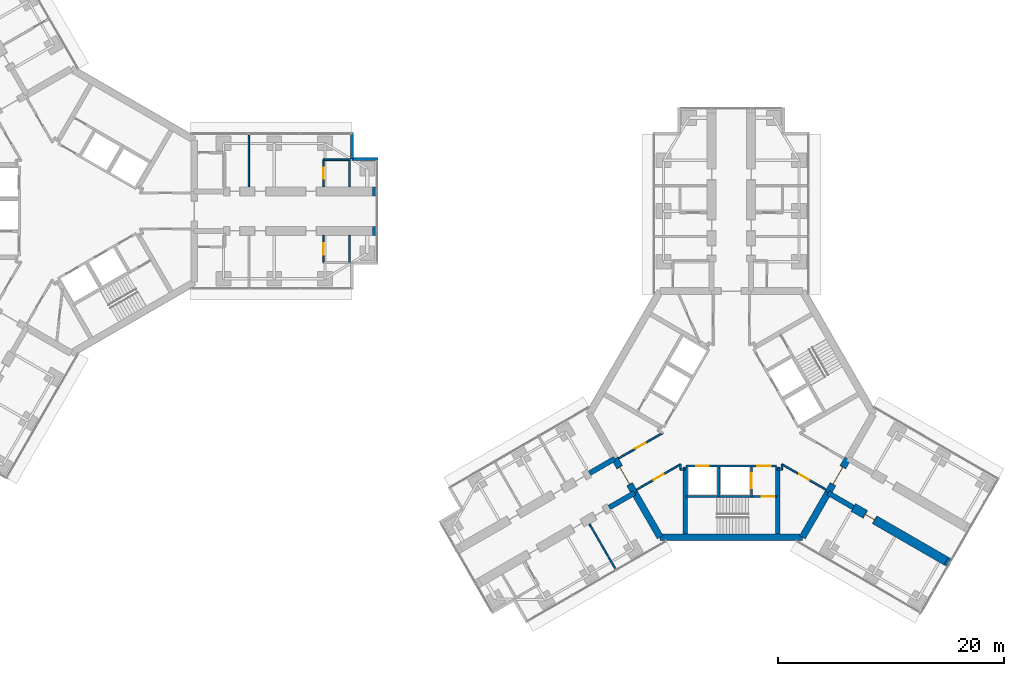
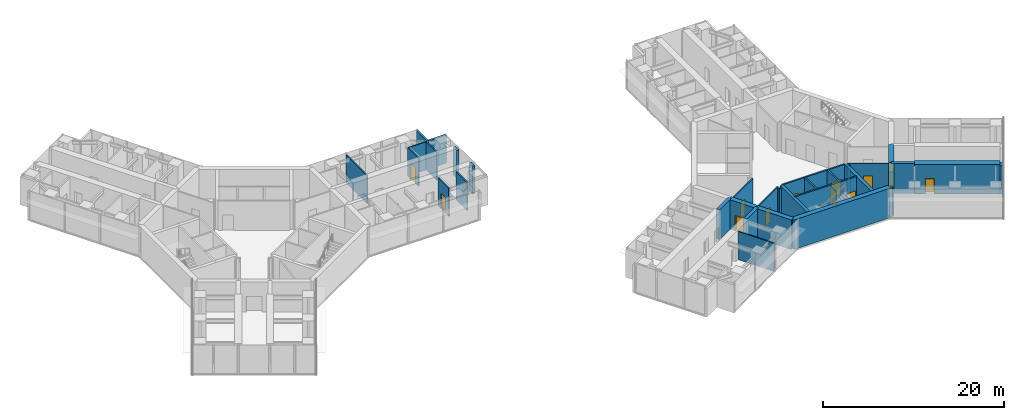
# One storey, part 18 of 22: 34 walls, 12 doors, 12 openings.
"""IFC4 building model written with IfcOpenShell, lengths in metres."""

from ifc_helpers import new_model, si_unit, direction, frame, frame_2d, origin, place, context, subcontext, project, spatial, rectangle, extrude, material, layer, layer_set, type_object, element, fill, save


model = new_model("IFC4")

# Units and contexts
model_context = context("Model", 3, precision=1e-05, world=origin(), true_north=direction((0.0, 1.0)))
body_context = subcontext(model_context, "Body", "Model", "MODEL_VIEW")
ifc_project = project(units=[si_unit("LENGTHUNIT", "METRE"), si_unit("AREAUNIT", "SQUARE_METRE"), si_unit("VOLUMEUNIT", "CUBIC_METRE"), si_unit("PLANEANGLEUNIT", "RADIAN"), si_unit("MASSUNIT", "GRAM", prefix="KILO")], contexts=[model_context])

# Site, building, storey
site_placement = place(None, origin())
site = spatial("IfcSite", under=ifc_project, at=site_placement, CompositionType="ELEMENT")
building_placement = place(site_placement, origin())
building = spatial("IfcBuilding", under=site, at=building_placement, Name="Upepo Twin Towers", CompositionType="ELEMENT")
storey_placement = place(building_placement, frame((0.0, 0.0, 129.5)))
storey = spatial("IfcBuildingStorey", under=building, at=storey_placement, Name="L31", CompositionType="ELEMENT", Elevation=129.5)

# Walls
ifc_material_1 = material(Name="Dense concrete blockwork", Category="masonry")
ifc_layer_1 = layer(ifc_material_1, 0.800048828125)
ifc_layer_set_1 = layer_set([ifc_layer_1], Name="Buttress closer 800, blockwork with fire-stopping to the curtain wall")
wall_type_1 = type_object("IfcWallType", Name="Buttress closer 800, blockwork with fire-stopping to the curtain wall", PredefinedType="PARTITIONING", material=ifc_layer_set_1)
for number, where, z_axis, x_axis, name in (
    (1, (26.699951171875, 1.75, 0.0), (0.0, 0.0, 1.0), (1.0, 0.0, 0.0), "T1 L31 wing A buttress closer L"),
    (2, (26.699951171875, -1.75, 0.0), (0.0, 0.0, 1.0), (1.0, 0.0, 0.0), "T1 L31 wing A buttress closer R"),
):
    element("IfcWall", number, at=place(storey_placement, frame(where, z_axis=z_axis, x_axis=x_axis)), inside=storey, type_object=wall_type_1, Name=name, PredefinedType="PARTITIONING", context=body_context, shape_type="SweptSolid", body=[
        extrude(rectangle(XDim=0.300048828125, YDim=0.800048828125, at=frame_2d((0.14990234375, 0.0))), origin(), (0.0, 0.0, 1.0), 3.800048828125),
    ])
wall_1_placement = place(storey_placement, frame((77.543701171875, -31.015625, 0.0), z_axis=(0.0, 0.0, 1.0), x_axis=(0.865827443207, -0.500342721131, 0.0)))
element("IfcWall", 3, at=wall_1_placement, inside=storey, type_object=wall_type_1, Name="T2 L31 wing C buttress closer R", PredefinedType="PARTITIONING", context=body_context, shape_type="SweptSolid", body=[
    extrude(rectangle(XDim=0.249755859375, YDim=0.800048828125, at=frame_2d((0.125, 0.0))), origin(), (0.0, 0.0, 1.0), 3.800048828125),
])
ifc_material_2 = material(Name="Concrete C60/75", Category="concrete")
ifc_layer_2 = layer(ifc_material_2, 0.449951171875)
ifc_layer_set_2 = layer_set([ifc_layer_2], Name="Concrete C60/75")
wall_type_2 = type_object("IfcWallType", Name="Buttress wall 450 RC", PredefinedType="SHEAR", material=ifc_layer_set_2)
for number, where, z_axis, x_axis, name in (
    (4, (49.92822265625, -24.9697265625, 0.0), (0.0, 0.0, 1.0), (-0.866031863473, -0.499988811324, 0.0), "T2 wing B buttress wall L"),
    (5, (48.17822265625, -21.938720703125, 0.0), (0.0, 0.0, 1.0), (-0.866072649678, -0.499918158782, 0.0), "T2 wing B buttress wall R"),
    (6, (67.07177734375, -24.9697265625, 0.0), (0.0, 0.0, 1.0), (0.866031863473, -0.499988811324, 0.0), "T2 wing C buttress wall R"),
):
    element("IfcWall", number, at=place(storey_placement, frame(where, z_axis=z_axis, x_axis=x_axis)), inside=storey, type_object=wall_type_2, Name=name, PredefinedType="SHEAR", context=body_context, shape_type="SweptSolid", body=[
        extrude(rectangle(XDim=2.591796875, YDim=0.449951171875, at=frame_2d((1.2958984375, 0.0))), origin(), (0.0, 0.0, 1.0), 4.0),
    ])

# Wall, opening, door
ifc_material_3 = material(Name="Concrete C60/75", Category="concrete")
ifc_layer_3 = layer(ifc_material_3, 0.800048828125)
ifc_layer_set_3 = layer_set([ifc_layer_3], Name="Concrete C60/75")
wall_type_3 = type_object("IfcWallType", Name="Buttress wall 800 RC", PredefinedType="SHEAR", material=ifc_layer_set_3)
wall_2_placement = place(storey_placement, frame((69.31640625, -26.265625, 0.0), z_axis=(0.0, 0.0, 1.0), x_axis=(0.86602681393, -0.499997557548, 0.0)))
wall_2 = element("IfcWall", 7, at=wall_2_placement, inside=storey, type_object=wall_type_3, Name="T2 wing C buttress wall R part 2", PredefinedType="SHEAR", context=body_context, shape_type="SweptSolid", body=[
    extrude(rectangle(XDim=9.5, YDim=0.800048828125, at=frame_2d((4.75, 0.0))), origin(), (0.0, 0.0, 1.0), 4.0),
])
opening_1_placement = place(wall_2_placement, frame((1.199951171875, 0.0, 0.0)))
opening_1 = element("IfcOpeningElement", 8, at=opening_1_placement, cuts=wall_2, Name="Opening D1", PredefinedType="OPENING", context=body_context, shape_type="SweptSolid", body=[
    extrude(rectangle(XDim=1.0, YDim=2.10009765625, at=frame_2d((0.5, 1.050048828125))), frame((0.0, 0.409912109375, 0.0), z_axis=(0.0, -1.0, 0.0), x_axis=(1.0, 0.0, 0.0)), (0.0, 0.0, 1.0), 0.820068359375),
])
ifc_material_4 = material(Name="Timber doorset", Category="wood")
door_type_1 = type_object("IfcDoorType", Name="Room door 1000 FD30", OperationType="SINGLE_SWING_LEFT", PredefinedType="DOOR", material=ifc_material_4)
door_1_placement = place(opening_1_placement, origin())
door_1 = element("IfcDoor", 9, at=door_1_placement, inside=storey, type_object=door_type_1, Name="T2 L31 staff office door", OperationType="SINGLE_SWING_LEFT", OverallHeight=2.10009765625, OverallWidth=1.0, PredefinedType="DOOR", context=body_context, shape_type="SweptSolid", body=[
    extrude(rectangle(XDim=0.92, YDim=2.06009765625, at=frame_2d((0.5, 1.030029296875))), frame((0.0, 0.02490234375, 0.0), z_axis=(0.0, -1.0, 0.0), x_axis=(1.0, 0.0, 0.0)), (0.0, 0.0, 1.0), 0.050048828125),
    extrude(rectangle(XDim=0.04, YDim=2.10009765625, at=frame_2d((0.02001953125, 1.050048828125))), frame((0.0, 0.39990234375, 0.0), z_axis=(0.0, -1.0, 0.0), x_axis=(1.0, 0.0, 0.0)), (0.0, 0.0, 1.0), 0.799560546875),
    extrude(rectangle(XDim=0.04, YDim=2.10009765625, at=frame_2d((0.97998046875, 1.050048828125))), frame((0.0, 0.39990234375, 0.0), z_axis=(0.0, -1.0, 0.0), x_axis=(1.0, 0.0, 0.0)), (0.0, 0.0, 1.0), 0.799560546875),
    extrude(rectangle(XDim=0.92, YDim=0.04, at=frame_2d((0.5, 2.080078125))), frame((0.0, 0.39990234375, 0.0), z_axis=(0.0, -1.0, 0.0), x_axis=(1.0, 0.0, 0.0)), (0.0, 0.0, 1.0), 0.799560546875),
])
fill(opening_1, door_1)

ifc_material_5 = material(Name="Concrete C60/75", Category="concrete")
ifc_layer_4 = layer(ifc_material_5, 0.60009765625)
ifc_layer_set_4 = layer_set([ifc_layer_4], Name="Concrete C60/75")
wall_type_4 = type_object("IfcWallType", Name="Core wall 600 RC", PredefinedType="SHEAR", material=ifc_layer_set_4)
wall_3_placement = place(storey_placement, frame((48.17822265625, -21.938720703125, 0.0), z_axis=(0.0, 0.0, 1.0), x_axis=(0.500010275428, -0.866019471182, 0.0)))
wall_3 = element("IfcWall", 10, at=wall_3_placement, inside=storey, type_object=wall_type_4, Name="T2 core wall 120", PredefinedType="SHEAR", context=body_context, shape_type="SweptSolid", body=[
    extrude(rectangle(XDim=3.5, YDim=0.60009765625, at=frame_2d((1.75, 0.0))), origin(), (0.0, 0.0, 1.0), 4.0),
])
opening_2_placement = place(wall_3_placement, frame((0.85009765625, 0.0, 0.0)))
opening_2 = element("IfcOpeningElement", 11, at=opening_2_placement, cuts=wall_3, Name="Opening D2", PredefinedType="OPENING", context=body_context, shape_type="SweptSolid", body=[
    extrude(rectangle(XDim=1.800048828125, YDim=2.10009765625, at=frame_2d((0.89990234375, 1.050048828125))), frame((0.0, 0.31005859375, 0.0), z_axis=(0.0, -1.0, 0.0), x_axis=(1.0, 0.0, 0.0)), (0.0, 0.0, 1.0), 0.6201171875),
])
ifc_material_6 = material(Name="Timber doorset", Category="wood")
door_type_2 = type_object("IfcDoorType", Name="Corridor double door 1800 FD60", OperationType="DOUBLE_DOOR_DOUBLE_SWING", PredefinedType="DOOR", material=ifc_material_6)
door_2_placement = place(opening_2_placement, origin())
door_2 = element("IfcDoor", 12, at=door_2_placement, inside=storey, type_object=door_type_2, Name="T2 L31 wing B corridor door", OperationType="DOUBLE_DOOR_DOUBLE_SWING", OverallHeight=2.10009765625, OverallWidth=1.800048828125, PredefinedType="DOOR", context=body_context, shape_type="SweptSolid", body=[
    extrude(rectangle(XDim=1.720048828125, YDim=2.06009765625, at=frame_2d((0.89990234375, 1.030029296875))), frame((0.0, 0.02490234375, 0.0), z_axis=(0.0, -1.0, 0.0), x_axis=(1.0, 0.0, 0.0)), (0.0, 0.0, 1.0), 0.050048828125),
    extrude(rectangle(XDim=0.04, YDim=2.10009765625, at=frame_2d((0.02001953125, 1.050048828125))), frame((0.0, 0.2998046875, 0.0), z_axis=(0.0, -1.0, 0.0), x_axis=(1.0, 0.0, 0.0)), (0.0, 0.0, 1.0), 0.599609375),
    extrude(rectangle(XDim=0.04, YDim=2.10009765625, at=frame_2d((1.780029296875, 1.050048828125))), frame((0.0, 0.2998046875, 0.0), z_axis=(0.0, -1.0, 0.0), x_axis=(1.0, 0.0, 0.0)), (0.0, 0.0, 1.0), 0.599609375),
    extrude(rectangle(XDim=1.720048828125, YDim=0.04, at=frame_2d((0.89990234375, 2.080078125))), frame((0.0, 0.2998046875, 0.0), z_axis=(0.0, -1.0, 0.0), x_axis=(1.0, 0.0, 0.0)), (0.0, 0.0, 1.0), 0.599609375),
])
fill(opening_2, door_2)

# Walls
wall_4_placement = place(storey_placement, frame((49.92822265625, -24.9697265625, 0.0), z_axis=(0.0, 0.0, 1.0), x_axis=(0.499984222037, -0.866034513004, 0.0)))
element("IfcWall", 13, at=wall_4_placement, inside=storey, type_object=wall_type_4, Name="T2 core wall 120 L", PredefinedType="SHEAR", context=body_context, shape_type="SweptSolid", body=[
    extrude(rectangle(XDim=4.548095703125, YDim=0.60009765625, at=frame_2d((2.27392578125, 0.0))), origin(), (0.0, 0.0, 1.0), 4.0),
])
wall_5_placement = place(storey_placement, frame((52.2021484375, -28.908447265625, 0.0), z_axis=(0.0, 0.0, 1.0), x_axis=(1.0, 0.0, 0.0)))
element("IfcWall", 14, at=wall_5_placement, inside=storey, type_object=wall_type_4, Name="T2 core wall 180", PredefinedType="SHEAR", context=body_context, shape_type="SweptSolid", body=[
    extrude(rectangle(XDim=12.595703125, YDim=0.60009765625, at=frame_2d((6.2978515625, 0.0))), origin(), (0.0, 0.0, 1.0), 4.0),
])
wall_6_placement = place(storey_placement, frame((64.7978515625, -28.908447265625, 0.0), z_axis=(0.0, 0.0, 1.0), x_axis=(0.499984222037, 0.866034513004, 0.0)))
element("IfcWall", 15, at=wall_6_placement, inside=storey, type_object=wall_type_4, Name="T2 core wall 240 R", PredefinedType="SHEAR", context=body_context, shape_type="SweptSolid", body=[
    extrude(rectangle(XDim=4.548095703125, YDim=0.60009765625, at=frame_2d((2.27392578125, 0.0))), origin(), (0.0, 0.0, 1.0), 4.0),
])

# Wall, opening, door
wall_7_placement = place(storey_placement, frame((67.07177734375, -24.9697265625, 0.0), z_axis=(0.0, 0.0, 1.0), x_axis=(0.500010275428, 0.866019471182, 0.0)))
wall_7 = element("IfcWall", 16, at=wall_7_placement, inside=storey, type_object=wall_type_4, Name="T2 core wall 240", PredefinedType="SHEAR", context=body_context, shape_type="SweptSolid", body=[
    extrude(rectangle(XDim=3.5, YDim=0.60009765625, at=frame_2d((1.75, 0.0))), origin(), (0.0, 0.0, 1.0), 4.0),
])
opening_3_placement = place(wall_7_placement, frame((0.85009765625, 0.0, 0.0)))
opening_3 = element("IfcOpeningElement", 17, at=opening_3_placement, cuts=wall_7, Name="Opening D2", PredefinedType="OPENING", context=body_context, shape_type="SweptSolid", body=[
    extrude(rectangle(XDim=1.800048828125, YDim=2.10009765625, at=frame_2d((0.89990234375, 1.050048828125))), frame((0.0, 0.31005859375, 0.0), z_axis=(0.0, -1.0, 0.0), x_axis=(1.0, 0.0, 0.0)), (0.0, 0.0, 1.0), 0.6201171875),
])
door_3_placement = place(opening_3_placement, origin())
door_3 = element("IfcDoor", 18, at=door_3_placement, inside=storey, type_object=door_type_2, Name="T2 L31 wing C corridor door", OperationType="DOUBLE_DOOR_DOUBLE_SWING", OverallHeight=2.10009765625, OverallWidth=1.800048828125, PredefinedType="DOOR", context=body_context, shape_type="SweptSolid", body=[
    extrude(rectangle(XDim=1.720048828125, YDim=2.06009765625, at=frame_2d((0.89990234375, 1.030029296875))), frame((0.0, 0.02490234375, 0.0), z_axis=(0.0, -1.0, 0.0), x_axis=(1.0, 0.0, 0.0)), (0.0, 0.0, 1.0), 0.050048828125),
    extrude(rectangle(XDim=0.04, YDim=2.10009765625, at=frame_2d((0.02001953125, 1.050048828125))), frame((0.0, 0.2998046875, 0.0), z_axis=(0.0, -1.0, 0.0), x_axis=(1.0, 0.0, 0.0)), (0.0, 0.0, 1.0), 0.599609375),
    extrude(rectangle(XDim=0.04, YDim=2.10009765625, at=frame_2d((1.780029296875, 1.050048828125))), frame((0.0, 0.2998046875, 0.0), z_axis=(0.0, -1.0, 0.0), x_axis=(1.0, 0.0, 0.0)), (0.0, 0.0, 1.0), 0.599609375),
    extrude(rectangle(XDim=1.720048828125, YDim=0.04, at=frame_2d((0.89990234375, 2.080078125))), frame((0.0, 0.2998046875, 0.0), z_axis=(0.0, -1.0, 0.0), x_axis=(1.0, 0.0, 0.0)), (0.0, 0.0, 1.0), 0.599609375),
])
fill(opening_3, door_3)

# Walls
ifc_material_7 = material(Name="Blockwork with anodised aluminium cladding", Category="masonry")
ifc_layer_5 = layer(ifc_material_7, 0.25)
ifc_layer_set_5 = layer_set([ifc_layer_5], Name="Notch cladding wall 250, pale metal")
wall_type_5 = type_object("IfcWallType", Name="Notch cladding wall 250, pale metal", PredefinedType="STANDARD", material=ifc_layer_set_5)
for number, where, z_axis, x_axis, name in (
    (19, (24.875, 6.949951171875, 0.0), (0.0, 0.0, 1.0), (0.0, -1.0, 0.0), "T1 L31 wing A notch wall L1"),
    (20, (24.875, 4.625, 0.0), (0.0, 0.0, 1.0), (1.0, 0.0, 0.0), "T1 L31 wing A notch wall L2"),
):
    element("IfcWall", number, at=place(storey_placement, frame(where, z_axis=z_axis, x_axis=x_axis)), inside=storey, type_object=wall_type_5, Name=name, PredefinedType="STANDARD", context=body_context, shape_type="SweptSolid", body=[
        extrude(rectangle(XDim=2.324951171875, YDim=0.25, at=frame_2d((1.16259765625, 0.0))), origin(), (0.0, 0.0, 1.0), 3.800048828125),
    ])

# Wall, openings, doors
ifc_material_8 = material(Name="Concrete C40/50", Category="concrete")
ifc_layer_6 = layer(ifc_material_8, 0.199951171875)
ifc_layer_set_6 = layer_set([ifc_layer_6], Name="Concrete C40/50")
wall_type_6 = type_object("IfcWallType", Name="Shaft wall 200 RC", PredefinedType="SHEAR", material=ifc_layer_set_6)
wall_8_placement = place(storey_placement, frame((54.5, -22.60009765625, 0.0), z_axis=(0.0, 0.0, 1.0), x_axis=(1.0, 0.0, 0.0)))
wall_8 = element("IfcWall", 21, at=wall_8_placement, inside=storey, type_object=wall_type_6, Name="T2 core W180 front wall", PredefinedType="SHEAR", context=body_context, shape_type="SweptSolid", body=[
    extrude(rectangle(XDim=8.0, YDim=0.199951171875, at=frame_2d((4.0, 0.0))), origin(), (0.0, 0.0, 1.0), 4.0),
])
opening_4_placement = place(wall_8_placement, frame((6.300048828125, 0.0, 0.0)))
opening_4 = element("IfcOpeningElement", 22, at=opening_4_placement, cuts=wall_8, Name="Opening D4", PredefinedType="OPENING", context=body_context, shape_type="SweptSolid", body=[
    extrude(rectangle(XDim=1.199951171875, YDim=2.10009765625, at=frame_2d((0.60009765625, 1.050048828125))), frame((0.0, 0.10986328125, 0.0), z_axis=(0.0, -1.0, 0.0), x_axis=(1.0, 0.0, 0.0)), (0.0, 0.0, 1.0), 0.219970703125),
])
opening_5_placement = place(wall_8_placement, frame((0.89990234375, 0.0, 0.0)))
opening_5 = element("IfcOpeningElement", 23, at=opening_5_placement, cuts=wall_8, Name="Opening LD1", PredefinedType="OPENING", context=body_context, shape_type="SweptSolid", body=[
    extrude(rectangle(XDim=1.10009765625, YDim=2.199951171875, at=frame_2d((0.550048828125, 1.10009765625))), frame((0.0, 0.10986328125, 0.0), z_axis=(0.0, -1.0, 0.0), x_axis=(1.0, 0.0, 0.0)), (0.0, 0.0, 1.0), 0.219970703125),
])
ifc_material_9 = material(Name="Steel doorset", Category="steel")
door_type_3 = type_object("IfcDoorType", Name="Lift landing door 1100", OperationType="DOUBLE_DOOR_SLIDING", PredefinedType="DOOR", material=ifc_material_9)
door_4_placement = place(opening_5_placement, origin())
door_4 = element("IfcDoor", 24, at=door_4_placement, inside=storey, type_object=door_type_3, Name="T2 L31 lift SV1 landing door", OperationType="DOUBLE_DOOR_SLIDING", OverallHeight=2.199951171875, OverallWidth=1.10009765625, PredefinedType="DOOR", context=body_context, shape_type="SweptSolid", body=[
    extrude(rectangle(XDim=1.10009765625, YDim=2.199951171875, at=frame_2d((0.550048828125, 1.10009765625))), frame((0.0, 0.02490234375, 0.0), z_axis=(0.0, -1.0, 0.0), x_axis=(1.0, 0.0, 0.0)), (0.0, 0.0, 1.0), 0.050048828125),
])
fill(opening_5, door_4)
ifc_material_10 = material(Name="Timber doorset", Category="wood")
door_type_4 = type_object("IfcDoorType", Name="Lobby door 1200 FD60", OperationType="SINGLE_SWING_LEFT", PredefinedType="DOOR", material=ifc_material_10)
door_5_placement = place(opening_4_placement, origin())
door_5 = element("IfcDoor", 25, at=door_5_placement, inside=storey, type_object=door_type_4, Name="T2 L31 W180 lobby door", OperationType="SINGLE_SWING_RIGHT", OverallHeight=2.10009765625, OverallWidth=1.199951171875, PredefinedType="DOOR", context=body_context, shape_type="SweptSolid", body=[
    extrude(rectangle(XDim=1.199951171875, YDim=2.10009765625, at=frame_2d((0.60009765625, 1.050048828125))), frame((0.0, 0.02490234375, 0.0), z_axis=(0.0, -1.0, 0.0), x_axis=(1.0, 0.0, 0.0)), (0.0, 0.0, 1.0), 0.050048828125),
])
fill(opening_4, door_5)

# Wall
wall_9_placement = place(storey_placement, frame((57.39990234375, -22.699951171875, 0.0), z_axis=(0.0, 0.0, 1.0), x_axis=(0.0, -1.0, 0.0)))
element("IfcWall", 26, at=wall_9_placement, inside=storey, type_object=wall_type_6, Name="T2 core W180 shaft divider", PredefinedType="SHEAR", context=body_context, shape_type="SweptSolid", body=[
    extrude(rectangle(XDim=2.60009765625, YDim=0.199951171875, at=frame_2d((1.300048828125, 0.0))), origin(), (0.0, 0.0, 1.0), 4.0),
])

# Wall, opening, door
wall_10_placement = place(storey_placement, frame((60.300048828125, -22.699951171875, 0.0), z_axis=(0.0, 0.0, 1.0), x_axis=(0.0, -1.0, 0.0)))
wall_10 = element("IfcWall", 27, at=wall_10_placement, inside=storey, type_object=wall_type_6, Name="T2 core W180 lobby wall", PredefinedType="SHEAR", context=body_context, shape_type="SweptSolid", body=[
    extrude(rectangle(XDim=2.60009765625, YDim=0.199951171875, at=frame_2d((1.300048828125, 0.0))), origin(), (0.0, 0.0, 1.0), 4.0),
])
opening_6_placement = place(wall_10_placement, frame((0.550048828125, 0.0, 0.0)))
opening_6 = element("IfcOpeningElement", 28, at=opening_6_placement, cuts=wall_10, Name="Opening LD2", PredefinedType="OPENING", context=body_context, shape_type="SweptSolid", body=[
    extrude(rectangle(XDim=1.300048828125, YDim=2.199951171875, at=frame_2d((0.64990234375, 1.10009765625))), frame((0.0, 0.10986328125, 0.0), z_axis=(0.0, -1.0, 0.0), x_axis=(1.0, 0.0, 0.0)), (0.0, 0.0, 1.0), 0.219970703125),
])
ifc_material_11 = material(Name="Steel doorset", Category="steel")
door_type_5 = type_object("IfcDoorType", Name="Firefighting lift landing door 1300", OperationType="DOUBLE_DOOR_SLIDING", PredefinedType="DOOR", material=ifc_material_11)
door_6_placement = place(opening_6_placement, origin())
door_6 = element("IfcDoor", 29, at=door_6_placement, inside=storey, type_object=door_type_5, Name="T2 L31 firefighting lift landing door", OperationType="DOUBLE_DOOR_SLIDING", OverallHeight=2.199951171875, OverallWidth=1.300048828125, PredefinedType="DOOR", context=body_context, shape_type="SweptSolid", body=[
    extrude(rectangle(XDim=1.300048828125, YDim=2.199951171875, at=frame_2d((0.64990234375, 1.10009765625))), frame((0.0, 0.02490234375, 0.0), z_axis=(0.0, -1.0, 0.0), x_axis=(1.0, 0.0, 0.0)), (0.0, 0.0, 1.0), 0.050048828125),
])
fill(opening_6, door_6)

wall_11_placement = place(storey_placement, frame((54.5, -25.300048828125, 0.0), z_axis=(0.0, 0.0, 1.0), x_axis=(1.0, 0.0, 0.0)))
wall_11 = element("IfcWall", 30, at=wall_11_placement, inside=storey, type_object=wall_type_6, Name="T2 core W180 stair wall", PredefinedType="SHEAR", context=body_context, shape_type="SweptSolid", body=[
    extrude(rectangle(XDim=8.0, YDim=0.199951171875, at=frame_2d((4.0, 0.0))), origin(), (0.0, 0.0, 1.0), 4.0),
])
opening_7_placement = place(wall_11_placement, frame((6.699951171875, 0.0, 0.0)))
opening_7 = element("IfcOpeningElement", 31, at=opening_7_placement, cuts=wall_11, Name="Opening D3", PredefinedType="OPENING", context=body_context, shape_type="SweptSolid", body=[
    extrude(rectangle(XDim=1.10009765625, YDim=2.10009765625, at=frame_2d((0.550048828125, 1.050048828125))), frame((0.0, 0.10986328125, 0.0), z_axis=(0.0, -1.0, 0.0), x_axis=(1.0, 0.0, 0.0)), (0.0, 0.0, 1.0), 0.219970703125),
])
ifc_material_12 = material(Name="Timber doorset", Category="wood")
door_type_6 = type_object("IfcDoorType", Name="Stair door 1100 FD60", OperationType="SINGLE_SWING_LEFT", PredefinedType="DOOR", material=ifc_material_12)
door_7_placement = place(opening_7_placement, origin())
door_7 = element("IfcDoor", 32, at=door_7_placement, inside=storey, type_object=door_type_6, Name="T2 L31 stair door", OperationType="SINGLE_SWING_RIGHT", OverallHeight=2.10009765625, OverallWidth=1.10009765625, PredefinedType="DOOR", context=body_context, shape_type="SweptSolid", body=[
    extrude(rectangle(XDim=1.10009765625, YDim=2.10009765625, at=frame_2d((0.550048828125, 1.050048828125))), frame((0.0, 0.02490234375, 0.0), z_axis=(0.0, -1.0, 0.0), x_axis=(1.0, 0.0, 0.0)), (0.0, 0.0, 1.0), 0.050048828125),
])
fill(opening_7, door_7)

# Walls
ifc_material_13 = material(Name="Concrete C40/50", Category="concrete")
ifc_layer_7 = layer(ifc_material_13, 0.39990234375)
ifc_layer_set_7 = layer_set([ifc_layer_7], Name="Concrete C40/50")
wall_type_7 = type_object("IfcWallType", Name="Shaft wall 400 RC", PredefinedType="SHEAR", material=ifc_layer_set_7)
for number, where, z_axis, x_axis, name in (
    (33, (62.60009765625, -22.699951171875, 0.0), (0.0, 0.0, 1.0), (0.0, -1.0, 0.0), "T2 core W180 side wall N"),
    (34, (54.39990234375, -22.699951171875, 0.0), (0.0, 0.0, 1.0), (0.0, -1.0, 0.0), "T2 core W180 side wall S"),
):
    element("IfcWall", number, at=place(storey_placement, frame(where, z_axis=z_axis, x_axis=x_axis)), inside=storey, type_object=wall_type_7, Name=name, PredefinedType="SHEAR", context=body_context, shape_type="SweptSolid", body=[
        extrude(rectangle(XDim=5.908447265625, YDim=0.39990234375, at=frame_2d((2.9541015625, 0.0))), origin(), (0.0, 0.0, 1.0), 4.0),
    ])
ifc_material_14 = material(Name="Gypsum board on steel studs", Category="steel")
ifc_layer_8 = layer(ifc_material_14, 0.14990234375)
ifc_layer_set_8 = layer_set([ifc_layer_8], Name="Teaching partition 150 acoustic")
wall_type_8 = type_object("IfcWallType", Name="Teaching partition 150 acoustic", PredefinedType="PARTITIONING", material=ifc_layer_set_8)
wall_12_placement = place(storey_placement, frame((15.75, 2.14990234375, 0.0), z_axis=(0.0, 0.0, 1.0), x_axis=(0.0, 1.0, 0.0)))
element("IfcWall", 35, at=wall_12_placement, inside=storey, type_object=wall_type_8, Name="T1 partition AL at 15.75", PredefinedType="PARTITIONING", context=body_context, shape_type="SweptSolid", body=[
    extrude(rectangle(XDim=4.60009765625, YDim=0.14990234375, at=frame_2d((2.300048828125, 0.0))), origin(), (0.0, 0.0, 1.0), 3.800048828125),
])
wall_13_placement = place(storey_placement, frame((22.35009765625, 4.550048828125, 0.0), z_axis=(0.0, 0.0, 1.0), x_axis=(1.0, 0.0, 0.0)))
element("IfcWall", 36, at=wall_13_placement, inside=storey, type_object=wall_type_8, Name="T1 inner room partition AL at 22.35", PredefinedType="PARTITIONING", context=body_context, shape_type="SweptSolid", body=[
    extrude(rectangle(XDim=2.39990234375, YDim=0.14990234375, at=frame_2d((1.199951171875, 0.0))), origin(), (0.0, 0.0, 1.0), 3.800048828125),
])

# Wall, opening, door
wall_14_placement = place(storey_placement, frame((22.35009765625, 2.14990234375, 0.0), z_axis=(0.0, 0.0, 1.0), x_axis=(0.0, 1.0, 0.0)))
wall_14 = element("IfcWall", 37, at=wall_14_placement, inside=storey, type_object=wall_type_8, Name="T1 inner room partition AL end at 22.35", PredefinedType="PARTITIONING", context=body_context, shape_type="SweptSolid", body=[
    extrude(rectangle(XDim=2.400146484375, YDim=0.14990234375, at=frame_2d((1.2001953125, 0.0))), origin(), (0.0, 0.0, 1.0), 3.800048828125),
])
opening_8_placement = place(wall_14_placement, frame((0.699951171875, 0.0, 0.0)))
opening_8 = element("IfcOpeningElement", 38, at=opening_8_placement, cuts=wall_14, Name="Opening D1", PredefinedType="OPENING", context=body_context, shape_type="SweptSolid", body=[
    extrude(rectangle(XDim=1.0, YDim=2.10009765625, at=frame_2d((0.5, 1.050048828125))), frame((0.0, 0.0849609375, 0.0), z_axis=(0.0, -1.0, 0.0), x_axis=(1.0, 0.0, 0.0)), (0.0, 0.0, 1.0), 0.169921875),
])
door_8_placement = place(opening_8_placement, origin())
door_8 = element("IfcDoor", 39, at=door_8_placement, inside=storey, type_object=door_type_1, Name="T1 L31 inner room door", OperationType="SINGLE_SWING_LEFT", OverallHeight=2.10009765625, OverallWidth=1.0, PredefinedType="DOOR", context=body_context, shape_type="SweptSolid", body=[
    extrude(rectangle(XDim=1.0, YDim=2.10009765625, at=frame_2d((0.5, 1.050048828125))), frame((0.0, 0.02490234375, 0.0), z_axis=(0.0, -1.0, 0.0), x_axis=(1.0, 0.0, 0.0)), (0.0, 0.0, 1.0), 0.050048828125),
])
fill(opening_8, door_8)

# Wall
wall_15_placement = place(storey_placement, frame((24.675048828125, 2.14990234375, 0.0), z_axis=(0.0, 0.0, 1.0), x_axis=(0.0, 1.0, 0.0)))
element("IfcWall", 40, at=wall_15_placement, inside=storey, type_object=wall_type_8, Name="T1 inner room partition AL end at 24.75", PredefinedType="PARTITIONING", context=body_context, shape_type="SweptSolid", body=[
    extrude(rectangle(XDim=2.400146484375, YDim=0.14990234375, at=frame_2d((1.2001953125, 0.0))), origin(), (0.0, 0.0, 1.0), 3.800048828125),
])

# Wall, opening, door
wall_16_placement = place(storey_placement, frame((22.35009765625, -2.14990234375, 0.0), z_axis=(0.0, 0.0, 1.0), x_axis=(0.0, -1.0, 0.0)))
wall_16 = element("IfcWall", 41, at=wall_16_placement, inside=storey, type_object=wall_type_8, Name="T1 inner room partition AR end at 22.35", PredefinedType="PARTITIONING", context=body_context, shape_type="SweptSolid", body=[
    extrude(rectangle(XDim=2.400146484375, YDim=0.14990234375, at=frame_2d((1.2001953125, 0.0))), origin(), (0.0, 0.0, 1.0), 3.800048828125),
])
opening_9_placement = place(wall_16_placement, frame((0.699951171875, 0.0, 0.0)))
opening_9 = element("IfcOpeningElement", 42, at=opening_9_placement, cuts=wall_16, Name="Opening D1", PredefinedType="OPENING", context=body_context, shape_type="SweptSolid", body=[
    extrude(rectangle(XDim=1.0, YDim=2.10009765625, at=frame_2d((0.5, 1.050048828125))), frame((0.0, 0.0849609375, 0.0), z_axis=(0.0, -1.0, 0.0), x_axis=(1.0, 0.0, 0.0)), (0.0, 0.0, 1.0), 0.169921875),
])
door_9_placement = place(opening_9_placement, origin())
door_9 = element("IfcDoor", 43, at=door_9_placement, inside=storey, type_object=door_type_1, Name="T1 L31 inner room door", OperationType="SINGLE_SWING_LEFT", OverallHeight=2.10009765625, OverallWidth=1.0, PredefinedType="DOOR", context=body_context, shape_type="SweptSolid", body=[
    extrude(rectangle(XDim=1.0, YDim=2.10009765625, at=frame_2d((0.5, 1.050048828125))), frame((0.0, 0.02490234375, 0.0), z_axis=(0.0, -1.0, 0.0), x_axis=(1.0, 0.0, 0.0)), (0.0, 0.0, 1.0), 0.050048828125),
])
fill(opening_9, door_9)

# Walls
wall_17_placement = place(storey_placement, frame((24.675048828125, -2.14990234375, 0.0), z_axis=(0.0, 0.0, 1.0), x_axis=(0.0, -1.0, 0.0)))
element("IfcWall", 44, at=wall_17_placement, inside=storey, type_object=wall_type_8, Name="T1 inner room partition AR end at 24.75", PredefinedType="PARTITIONING", context=body_context, shape_type="SweptSolid", body=[
    extrude(rectangle(XDim=2.400146484375, YDim=0.14990234375, at=frame_2d((1.2001953125, 0.0))), origin(), (0.0, 0.0, 1.0), 3.800048828125),
])
wall_18_placement = place(storey_placement, frame((45.93505859375, -27.737060546875, 0.0), z_axis=(0.0, 0.0, 1.0), x_axis=(0.500014953309, -0.866016770315, 0.0)))
element("IfcWall", 45, at=wall_18_placement, inside=storey, type_object=wall_type_8, Name="T2 partition BL at 15.75", PredefinedType="PARTITIONING", context=body_context, shape_type="SweptSolid", body=[
    extrude(rectangle(XDim=4.599853515625, YDim=0.14990234375, at=frame_2d((2.2998046875, 0.0))), origin(), (0.0, 0.0, 1.0), 3.800048828125),
])
wall_19_placement = place(storey_placement, frame((54.0, -22.919921875, 0.0), z_axis=(0.0, 0.0, 1.0), x_axis=(0.0, 1.0, 0.0)))
element("IfcWall", 46, at=wall_19_placement, inside=storey, type_object=wall_type_8, Name="T2 core room partition 1", PredefinedType="PARTITIONING", context=body_context, shape_type="SweptSolid", body=[
    extrude(rectangle(XDim=0.494384765625, YDim=0.14990234375, at=frame_2d((0.2470703125, 0.0))), origin(), (0.0, 0.0, 1.0), 3.800048828125),
])

# Wall, opening, door
wall_20_placement = place(storey_placement, frame((54.017333984375, -22.435546875, 0.0), z_axis=(0.0, 0.0, 1.0), x_axis=(-0.86602002524, -0.500009315796, 0.0)))
wall_20 = element("IfcWall", 47, at=wall_20_placement, inside=storey, type_object=wall_type_8, Name="T2 core room partition 2", PredefinedType="PARTITIONING", context=body_context, shape_type="SweptSolid", body=[
    extrude(rectangle(XDim=4.5185546875, YDim=0.14990234375, at=frame_2d((2.25927734375, 0.0))), origin(), (0.0, 0.0, 1.0), 3.800048828125),
])
opening_10_placement = place(wall_20_placement, frame((1.769287109375, 0.0, 0.0)))
opening_10 = element("IfcOpeningElement", 48, at=opening_10_placement, cuts=wall_20, Name="Opening D1", PredefinedType="OPENING", context=body_context, shape_type="SweptSolid", body=[
    extrude(rectangle(XDim=1.0, YDim=2.10009765625, at=frame_2d((0.5, 1.050048828125))), frame((0.0, 0.0849609375, 0.0), z_axis=(0.0, -1.0, 0.0), x_axis=(1.0, 0.0, 0.0)), (0.0, 0.0, 1.0), 0.169921875),
])
door_10_placement = place(opening_10_placement, origin())
door_10 = element("IfcDoor", 49, at=door_10_placement, inside=storey, type_object=door_type_1, Name="T2 L31 core room door K2", OperationType="SINGLE_SWING_RIGHT", OverallHeight=2.10009765625, OverallWidth=1.0, PredefinedType="DOOR", context=body_context, shape_type="SweptSolid", body=[
    extrude(rectangle(XDim=1.0, YDim=2.10009765625, at=frame_2d((0.5, 1.050048828125))), frame((0.0, 0.02490234375, 0.0), z_axis=(0.0, -1.0, 0.0), x_axis=(1.0, 0.0, 0.0)), (0.0, 0.0, 1.0), 0.050048828125),
])
fill(opening_10, door_10)

wall_21_placement = place(storey_placement, frame((48.50439453125, -21.923583984375, 0.0), z_axis=(0.0, 0.0, 1.0), x_axis=(0.866006515865, 0.500032713409, 0.0)))
wall_21 = element("IfcWall", 50, at=wall_21_placement, inside=storey, type_object=wall_type_8, Name="T2 core room partition 3", PredefinedType="PARTITIONING", context=body_context, shape_type="SweptSolid", body=[
    extrude(rectangle(XDim=4.518310546875, YDim=0.14990234375, at=frame_2d((2.25927734375, 0.0))), origin(), (0.0, 0.0, 1.0), 3.800048828125),
])
opening_11_placement = place(wall_21_placement, frame((1.7490234375, 0.0, 0.0)))
opening_11 = element("IfcOpeningElement", 51, at=opening_11_placement, cuts=wall_21, Name="Opening D1", PredefinedType="OPENING", context=body_context, shape_type="SweptSolid", body=[
    extrude(rectangle(XDim=1.0, YDim=2.10009765625, at=frame_2d((0.5, 1.050048828125))), frame((0.0, 0.0849609375, 0.0), z_axis=(0.0, -1.0, 0.0), x_axis=(1.0, 0.0, 0.0)), (0.0, 0.0, 1.0), 0.169921875),
])
door_11_placement = place(opening_11_placement, origin())
door_11 = element("IfcDoor", 52, at=door_11_placement, inside=storey, type_object=door_type_1, Name="T2 L31 core room door K1", OperationType="SINGLE_SWING_LEFT", OverallHeight=2.10009765625, OverallWidth=1.0, PredefinedType="DOOR", context=body_context, shape_type="SweptSolid", body=[
    extrude(rectangle(XDim=1.0, YDim=2.10009765625, at=frame_2d((0.5, 1.050048828125))), frame((0.0, 0.02490234375, 0.0), z_axis=(0.0, -1.0, 0.0), x_axis=(1.0, 0.0, 0.0)), (0.0, 0.0, 1.0), 0.050048828125),
])
fill(opening_11, door_11)

wall_22_placement = place(storey_placement, frame((66.895751953125, -24.69482421875, 0.0), z_axis=(0.0, 0.0, 1.0), x_axis=(-0.86602002524, 0.500009315796, 0.0)))
wall_22 = element("IfcWall", 53, at=wall_22_placement, inside=storey, type_object=wall_type_8, Name="T2 core room partition 15", PredefinedType="PARTITIONING", context=body_context, shape_type="SweptSolid", body=[
    extrude(rectangle(XDim=4.5185546875, YDim=0.14990234375, at=frame_2d((2.25927734375, 0.0))), origin(), (0.0, 0.0, 1.0), 3.800048828125),
])
opening_12_placement = place(wall_22_placement, frame((1.7490234375, 0.0, 0.0)))
opening_12 = element("IfcOpeningElement", 54, at=opening_12_placement, cuts=wall_22, Name="Opening D1", PredefinedType="OPENING", context=body_context, shape_type="SweptSolid", body=[
    extrude(rectangle(XDim=1.0, YDim=2.10009765625, at=frame_2d((0.5, 1.050048828125))), frame((0.0, 0.0849609375, 0.0), z_axis=(0.0, -1.0, 0.0), x_axis=(1.0, 0.0, 0.0)), (0.0, 0.0, 1.0), 0.169921875),
])
door_12_placement = place(opening_12_placement, origin())
door_12 = element("IfcDoor", 55, at=door_12_placement, inside=storey, type_object=door_type_1, Name="T2 L31 core room door K3", OperationType="SINGLE_SWING_LEFT", OverallHeight=2.10009765625, OverallWidth=1.0, PredefinedType="DOOR", context=body_context, shape_type="SweptSolid", body=[
    extrude(rectangle(XDim=1.0, YDim=2.10009765625, at=frame_2d((0.5, 1.050048828125))), frame((0.0, 0.02490234375, 0.0), z_axis=(0.0, -1.0, 0.0), x_axis=(1.0, 0.0, 0.0)), (0.0, 0.0, 1.0), 0.050048828125),
])
fill(opening_12, door_12)

# Walls
wall_23_placement = place(storey_placement, frame((63.0, -22.425537109375, 0.0), z_axis=(0.0, 0.0, 1.0), x_axis=(0.0, -1.0, 0.0)))
element("IfcWall", 56, at=wall_23_placement, inside=storey, type_object=wall_type_8, Name="T2 core room partition 16", PredefinedType="PARTITIONING", context=body_context, shape_type="SweptSolid", body=[
    extrude(rectangle(XDim=0.494384765625, YDim=0.14990234375, at=frame_2d((0.2470703125, 0.0))), origin(), (0.0, 0.0, 1.0), 3.800048828125),
])
for number, where, z_axis, x_axis, name in (
    (57, (63.02001953125, -22.89990234375, 0.0), (0.0, 0.0, 1.0), (-1.0, 0.0, 0.0), "T2 core room partition 17"),
    (58, (54.409912109375, -22.89990234375, 0.0), (0.0, 0.0, 1.0), (-1.0, 0.0, 0.0), "T2 core room partition 18"),
):
    element("IfcWall", number, at=place(storey_placement, frame(where, z_axis=z_axis, x_axis=x_axis)), inside=storey, type_object=wall_type_8, Name=name, PredefinedType="PARTITIONING", context=body_context, shape_type="SweptSolid", body=[
        extrude(rectangle(XDim=0.429931640625, YDim=0.14990234375, at=frame_2d((0.21484375, 0.0))), origin(), (0.0, 0.0, 1.0), 3.800048828125),
    ])

save(model, "model.ifc")
